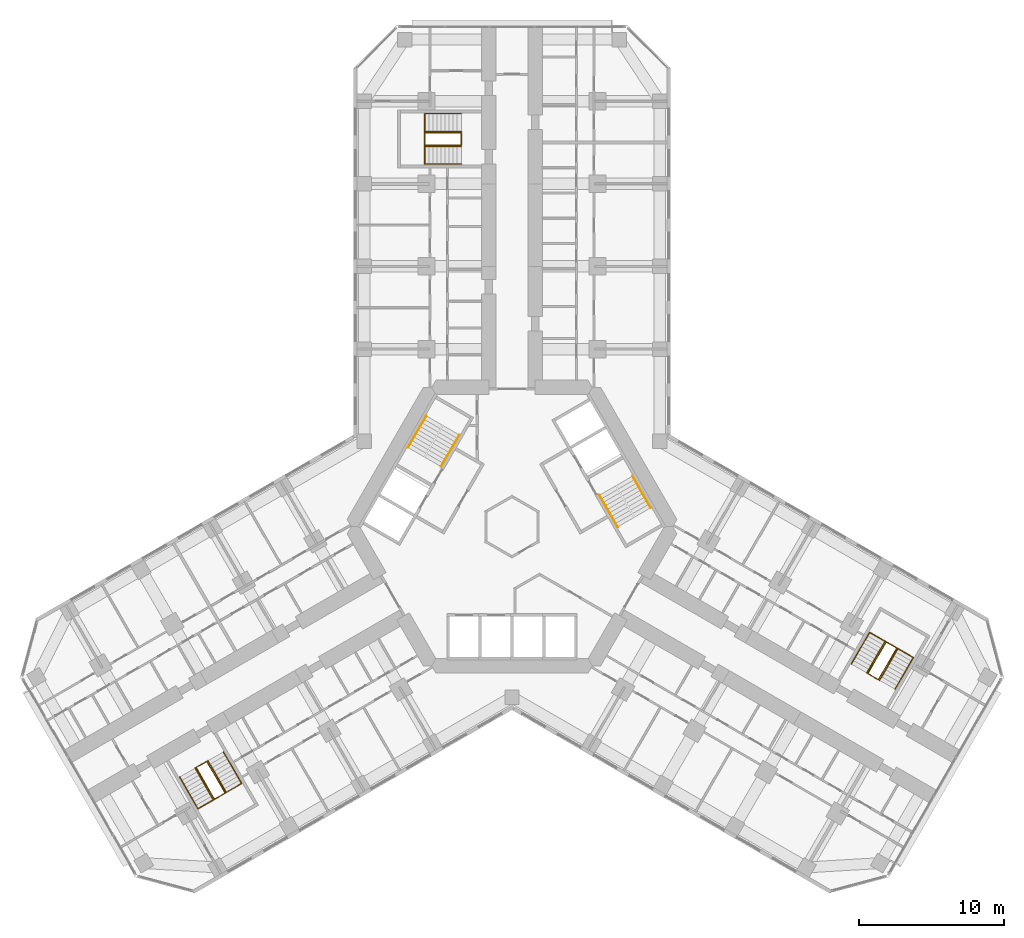
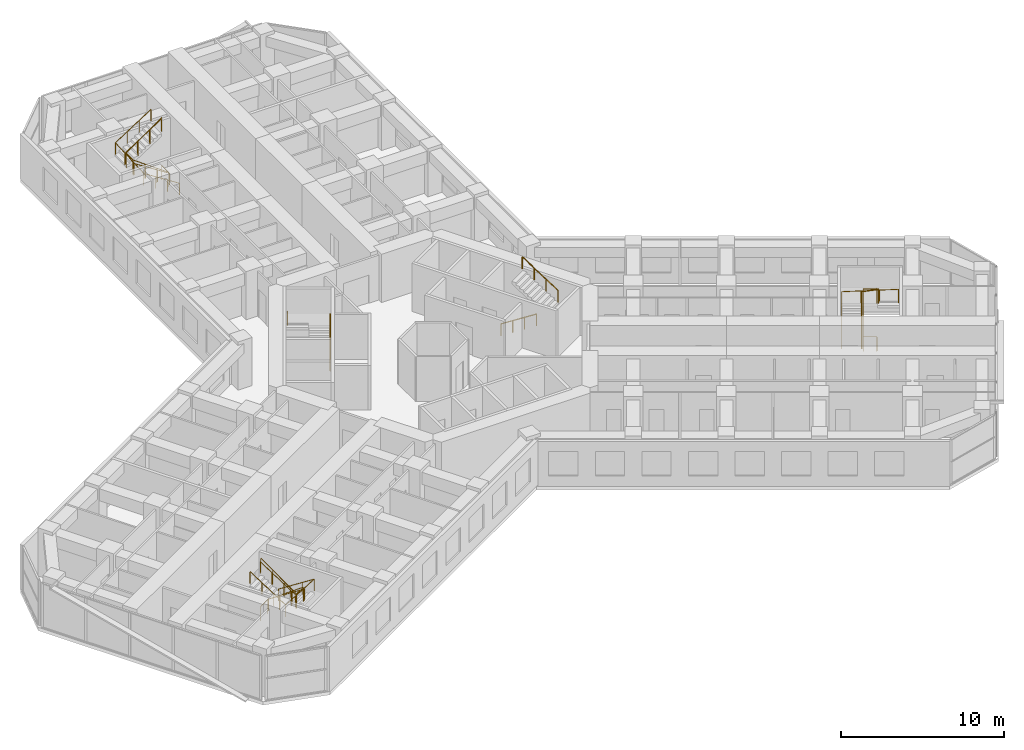
# One storey, part 21 of 21: 13 railings.
"""IFC4 building model written with IfcOpenShell, lengths in metres."""

from ifc_helpers import new_model, si_unit, direction, frame, origin, origin_2d, place, context, subcontext, project, spatial, circle, extrude, material, type_object, element, save


model = new_model("IFC4")

# Units and contexts
model_context = context("Model", 3, precision=1e-05, world=origin(), true_north=direction((0.0, 1.0)))
body_context = subcontext(model_context, "Body", "Model", "MODEL_VIEW")
ifc_project = project(units=[si_unit("LENGTHUNIT", "METRE"), si_unit("AREAUNIT", "SQUARE_METRE"), si_unit("VOLUMEUNIT", "CUBIC_METRE"), si_unit("PLANEANGLEUNIT", "RADIAN"), si_unit("MASSUNIT", "GRAM", prefix="KILO")], contexts=[model_context])

# Site, building, storey
site_placement = place(None, origin())
site = spatial("IfcSite", under=ifc_project, at=site_placement, CompositionType="ELEMENT")
building_placement = place(site_placement, origin())
building = spatial("IfcBuilding", under=site, at=building_placement, Name="Kosmar Iwan School Tower", CompositionType="ELEMENT")
storey_placement = place(building_placement, frame((0.0, 0.0, 71.800048828125)))
storey = spatial("IfcBuildingStorey", under=building, at=storey_placement, Name="L17", CompositionType="ELEMENT", Elevation=71.800048828125)

# Railings
ifc_material_1 = material(Name="Black steel", Category="steel")
railing_type_1 = type_object("IfcRailingType", Name="Stair handrail 900", PredefinedType="HANDRAIL", material=ifc_material_1)
railing_1_placement = place(storey_placement, frame((-4.89453125, 4.142333984375, 0.179931640625)))
element("IfcRailing", 1, at=railing_1_placement, inside=storey, type_object=railing_type_1, Name="Handrail ST2 flight 1", PredefinedType="HANDRAIL", context=body_context, shape_type="SweptSolid", body=[
    extrude(circle(Radius=0.02392578125, at=origin_2d()), frame((0.0, 0.0, 0.8759765625), z_axis=(0.420584145978, 0.728463801763, 0.540785970299), x_axis=(-0.866022637375, 0.500004791531, 0.0)), (0.0, 0.0, 1.0), 2.995849609375),
    extrude(circle(Radius=0.02099609375, at=origin_2d()), origin(), (0.0, 0.0, 1.0), 0.851806640625),
    extrude(circle(Radius=0.02099609375, at=origin_2d()), frame((0.419921875, 0.7275390625, 0.5400390625)), (0.0, 0.0, 1.0), 0.851806640625),
    extrude(circle(Radius=0.02099609375, at=origin_2d()), frame((0.840087890625, 1.454833984375, 1.080078125)), (0.0, 0.0, 1.0), 0.851806640625),
    extrude(circle(Radius=0.02099609375, at=origin_2d()), frame((1.260009765625, 2.182373046875, 1.6201171875)), (0.0, 0.0, 1.0), 0.851806640625),
])
railing_2_placement = place(storey_placement, frame((-5.912353515625, 7.6396484375, 1.97998046875)))
element("IfcRailing", 2, at=railing_2_placement, inside=storey, type_object=railing_type_1, Name="Handrail ST2 flight 2", PredefinedType="HANDRAIL", context=body_context, shape_type="SweptSolid", body=[
    extrude(circle(Radius=0.02392578125, at=origin_2d()), frame((0.0, 0.0, 0.8759765625), z_axis=(-0.42060268101, -0.72849590497, 0.54072830624), x_axis=(0.866022637375, -0.500004791531, 0.0)), (0.0, 0.0, 1.0), 2.99560546875),
    extrude(circle(Radius=0.02099609375, at=origin_2d()), origin(), (0.0, 0.0, 1.0), 0.851806640625),
    extrude(circle(Radius=0.02099609375, at=origin_2d()), frame((-0.419921875, -0.7275390625, 0.5400390625)), (0.0, 0.0, 1.0), 0.851806640625),
    extrude(circle(Radius=0.02099609375, at=origin_2d()), frame((-0.840087890625, -1.454833984375, 1.079833984375)), (0.0, 0.0, 1.0), 0.851806640625),
    extrude(circle(Radius=0.02099609375, at=origin_2d()), frame((-1.260009765625, -2.182373046875, 1.619873046875)), (0.0, 0.0, 1.0), 0.851806640625),
])
railing_3_placement = place(storey_placement, frame((6.03466796875, 2.167724609375, 0.179931640625)))
element("IfcRailing", 3, at=railing_3_placement, inside=storey, type_object=railing_type_1, Name="Handrail ST1 flight 1", PredefinedType="HANDRAIL", context=body_context, shape_type="SweptSolid", body=[
    extrude(circle(Radius=0.02392578125, at=origin_2d()), frame((0.0, 0.0, 0.8759765625), z_axis=(0.420584145978, -0.728463801763, 0.540785970299), x_axis=(0.866022637375, 0.500004791531, 0.0)), (0.0, 0.0, 1.0), 2.995849609375),
    extrude(circle(Radius=0.02099609375, at=origin_2d()), origin(), (0.0, 0.0, 1.0), 0.851806640625),
    extrude(circle(Radius=0.02099609375, at=origin_2d()), frame((0.419921875, -0.7275390625, 0.5400390625)), (0.0, 0.0, 1.0), 0.851806640625),
    extrude(circle(Radius=0.02099609375, at=origin_2d()), frame((0.840087890625, -1.454833984375, 1.080078125)), (0.0, 0.0, 1.0), 0.851806640625),
    extrude(circle(Radius=0.02099609375, at=origin_2d()), frame((1.260009765625, -2.182373046875, 1.6201171875)), (0.0, 0.0, 1.0), 0.851806640625),
])
railing_4_placement = place(storey_placement, frame((9.572265625, 1.30029296875, 1.97998046875)))
element("IfcRailing", 4, at=railing_4_placement, inside=storey, type_object=railing_type_1, Name="Handrail ST1 flight 2", PredefinedType="HANDRAIL", context=body_context, shape_type="SweptSolid", body=[
    extrude(circle(Radius=0.02392578125, at=origin_2d()), frame((0.0, 0.0, 0.8759765625), z_axis=(-0.42060268101, 0.72849590497, 0.54072830624), x_axis=(-0.866022637375, -0.500004791531, 0.0)), (0.0, 0.0, 1.0), 2.99560546875),
    extrude(circle(Radius=0.02099609375, at=origin_2d()), origin(), (0.0, 0.0, 1.0), 0.851806640625),
    extrude(circle(Radius=0.02099609375, at=origin_2d()), frame((-0.419921875, 0.7275390625, 0.5400390625)), (0.0, 0.0, 1.0), 0.851806640625),
    extrude(circle(Radius=0.02099609375, at=origin_2d()), frame((-0.840087890625, 1.454833984375, 1.079833984375)), (0.0, 0.0, 1.0), 0.851806640625),
    extrude(circle(Radius=0.02099609375, at=origin_2d()), frame((-1.260009765625, 2.182373046875, 1.619873046875)), (0.0, 0.0, 1.0), 0.851806640625),
])
railing_5_placement = place(storey_placement, frame((-3.5, 25.010009765625, 0.179931640625)))
element("IfcRailing", 5, at=railing_5_placement, inside=storey, type_object=railing_type_1, Name="Handrail stair WS1 L17 wall side", PredefinedType="HANDRAIL", context=body_context, shape_type="SweptSolid", body=[
    extrude(circle(Radius=0.02392578125, at=origin_2d()), frame((0.0, 0.0, 0.8759765625), z_axis=(-0.841162588446, 0.0, 0.540782303519), x_axis=(0.0, -1.0, 0.0)), (0.0, 0.0, 1.0), 2.995849609375),
    extrude(circle(Radius=0.02392578125, at=origin_2d()), frame((-2.52001953125, 0.0, 2.49609375), z_axis=(0.0, 0.998665981786, 0.051635809497), x_axis=(-1.0, 0.0, 0.0)), (0.0, 0.0, 1.0), 3.484619140625),
    extrude(circle(Radius=0.02392578125, at=origin_2d()), frame((-2.52001953125, 3.47998046875, 2.67578125), z_axis=(0.841199657755, 0.0, 0.540724639528), x_axis=(0.0, 1.0, 0.0)), (0.0, 0.0, 1.0), 2.995849609375),
    extrude(circle(Radius=0.02099609375, at=origin_2d()), origin(), (0.0, 0.0, 1.0), 0.851806640625),
    extrude(circle(Radius=0.02099609375, at=origin_2d()), frame((-0.840087890625, 0.0, 0.5400390625)), (0.0, 0.0, 1.0), 0.851806640625),
    extrude(circle(Radius=0.02099609375, at=origin_2d()), frame((-1.679931640625, 0.0, 1.080078125)), (0.0, 0.0, 1.0), 0.851806640625),
    extrude(circle(Radius=0.02099609375, at=origin_2d()), frame((-2.52001953125, 0.0, 1.6201171875)), (0.0, 0.0, 1.0), 0.851806640625),
    extrude(circle(Radius=0.02099609375, at=origin_2d()), frame((-2.52001953125, 1.159912109375, 1.68017578125)), (0.0, 0.0, 1.0), 0.851806640625),
    extrude(circle(Radius=0.02099609375, at=origin_2d()), frame((-2.52001953125, 2.320068359375, 1.739990234375)), (0.0, 0.0, 1.0), 0.851806640625),
    extrude(circle(Radius=0.02099609375, at=origin_2d()), frame((-2.52001953125, 3.47998046875, 1.800048828125)), (0.0, 0.0, 1.0), 0.851806640625),
    extrude(circle(Radius=0.02099609375, at=origin_2d()), frame((-1.679931640625, 3.47998046875, 2.340087890625)), (0.0, 0.0, 1.0), 0.851806640625),
    extrude(circle(Radius=0.02099609375, at=origin_2d()), frame((-0.840087890625, 3.47998046875, 2.8798828125)), (0.0, 0.0, 1.0), 0.851806640625),
    extrude(circle(Radius=0.02099609375, at=origin_2d()), frame((0.0, 3.47998046875, 3.419921875)), (0.0, 0.0, 1.0), 0.851806640625),
])
railing_6_placement = place(storey_placement, frame((-3.5, 26.239990234375, 0.179931640625)))
element("IfcRailing", 6, at=railing_6_placement, inside=storey, type_object=railing_type_1, Name="Handrail stair WS1 L17 well side", PredefinedType="HANDRAIL", context=body_context, shape_type="SweptSolid", body=[
    extrude(circle(Radius=0.02392578125, at=origin_2d()), frame((0.0, 0.0, 0.8759765625), z_axis=(-0.841162588446, 0.0, 0.540782303519), x_axis=(0.0, -1.0, 0.0)), (0.0, 0.0, 1.0), 2.995849609375),
    extrude(circle(Radius=0.02392578125, at=origin_2d()), frame((-2.52001953125, 0.0, 2.49609375), z_axis=(0.0, 0.984795421109, 0.173718100851), x_axis=(-1.0, 0.0, 0.0)), (0.0, 0.0, 1.0), 1.035888671875),
    extrude(circle(Radius=0.02392578125, at=origin_2d()), frame((-2.52001953125, 1.02001953125, 2.67578125), z_axis=(0.841199657755, 0.0, 0.540724639528), x_axis=(0.0, 1.0, 0.0)), (0.0, 0.0, 1.0), 2.995849609375),
    extrude(circle(Radius=0.02099609375, at=origin_2d()), origin(), (0.0, 0.0, 1.0), 0.851806640625),
    extrude(circle(Radius=0.02099609375, at=origin_2d()), frame((-0.840087890625, 0.0, 0.5400390625)), (0.0, 0.0, 1.0), 0.851806640625),
    extrude(circle(Radius=0.02099609375, at=origin_2d()), frame((-1.679931640625, 0.0, 1.080078125)), (0.0, 0.0, 1.0), 0.851806640625),
    extrude(circle(Radius=0.02099609375, at=origin_2d()), frame((-2.52001953125, 0.0, 1.6201171875)), (0.0, 0.0, 1.0), 0.851806640625),
    extrude(circle(Radius=0.02099609375, at=origin_2d()), frame((-2.52001953125, 1.02001953125, 1.800048828125)), (0.0, 0.0, 1.0), 0.851806640625),
    extrude(circle(Radius=0.02099609375, at=origin_2d()), frame((-1.679931640625, 1.02001953125, 2.340087890625)), (0.0, 0.0, 1.0), 0.851806640625),
    extrude(circle(Radius=0.02099609375, at=origin_2d()), frame((-0.840087890625, 1.02001953125, 2.8798828125)), (0.0, 0.0, 1.0), 0.851806640625),
    extrude(circle(Radius=0.02099609375, at=origin_2d()), frame((0.0, 1.02001953125, 3.419921875)), (0.0, 0.0, 1.0), 0.851806640625),
])
railing_7_placement = place(storey_placement, frame((-19.9091796875, -15.5361328125, 0.179931640625)))
element("IfcRailing", 7, at=railing_7_placement, inside=storey, type_object=railing_type_1, Name="Handrail stair WS2 L17 wall side", PredefinedType="HANDRAIL", context=body_context, shape_type="SweptSolid", body=[
    extrude(circle(Radius=0.02392578125, at=origin_2d()), frame((0.0, 0.0, 0.8759765625), z_axis=(0.420517065106, -0.728488768407, 0.540804504659), x_axis=(0.866064587494, 0.499932125682, 0.0)), (0.0, 0.0, 1.0), 2.995849609375),
    extrude(circle(Radius=0.02392578125, at=origin_2d()), frame((1.259765625, -2.182373046875, 2.49609375), z_axis=(-0.864864352349, -0.499342858003, 0.051636829851), x_axis=(0.500009906705, -0.86601968407, 0.0)), (0.0, 0.0, 1.0), 3.484619140625),
    extrude(circle(Radius=0.02392578125, at=origin_2d()), frame((-1.75390625, -3.92236328125, 2.67578125), z_axis=(-0.42060268101, 0.72849590497, 0.54072830624), x_axis=(-0.866022637375, -0.500004791531, 0.0)), (0.0, 0.0, 1.0), 2.99560546875),
    extrude(circle(Radius=0.02099609375, at=origin_2d()), origin(), (0.0, 0.0, 1.0), 0.851806640625),
    extrude(circle(Radius=0.02099609375, at=origin_2d()), frame((0.419921875, -0.7275390625, 0.5400390625)), (0.0, 0.0, 1.0), 0.851806640625),
    extrude(circle(Radius=0.02099609375, at=origin_2d()), frame((0.83984375, -1.454833984375, 1.080078125)), (0.0, 0.0, 1.0), 0.851806640625),
    extrude(circle(Radius=0.02099609375, at=origin_2d()), frame((1.259765625, -2.182373046875, 1.6201171875)), (0.0, 0.0, 1.0), 0.851806640625),
    extrude(circle(Radius=0.02099609375, at=origin_2d()), frame((0.255126953125, -2.762451171875, 1.68017578125)), (0.0, 0.0, 1.0), 0.851806640625),
    extrude(circle(Radius=0.02099609375, at=origin_2d()), frame((-0.749267578125, -3.34228515625, 1.739990234375)), (0.0, 0.0, 1.0), 0.851806640625),
    extrude(circle(Radius=0.02099609375, at=origin_2d()), frame((-1.75390625, -3.92236328125, 1.800048828125)), (0.0, 0.0, 1.0), 0.851806640625),
    extrude(circle(Radius=0.02099609375, at=origin_2d()), frame((-2.173828125, -3.19482421875, 2.340087890625)), (0.0, 0.0, 1.0), 0.851806640625),
    extrude(circle(Radius=0.02099609375, at=origin_2d()), frame((-2.593994140625, -2.467529296875, 2.8798828125)), (0.0, 0.0, 1.0), 0.851806640625),
    extrude(circle(Radius=0.02099609375, at=origin_2d()), frame((-3.013916015625, -1.739990234375, 3.419921875)), (0.0, 0.0, 1.0), 0.851806640625),
])
railing_8_placement = place(storey_placement, frame((-20.974609375, -16.151123046875, 0.179931640625)))
element("IfcRailing", 8, at=railing_8_placement, inside=storey, type_object=railing_type_1, Name="Handrail stair WS2 L17 well side", PredefinedType="HANDRAIL", context=body_context, shape_type="SweptSolid", body=[
    extrude(circle(Radius=0.02392578125, at=origin_2d()), frame((0.0, 0.0, 0.8759765625), z_axis=(0.420584145978, -0.728463801763, 0.540785970299), x_axis=(0.866022637375, 0.500004791531, 0.0)), (0.0, 0.0, 1.0), 2.995849609375),
    extrude(circle(Radius=0.02392578125, at=origin_2d()), frame((1.260009765625, -2.182373046875, 2.49609375), z_axis=(-0.852841519511, -0.492422867401, 0.173726976197), x_axis=(0.500026340207, -0.866010195725, 0.0)), (0.0, 0.0, 1.0), 1.03564453125),
    extrude(circle(Radius=0.02392578125, at=origin_2d()), frame((0.376708984375, -2.6923828125, 2.67578125), z_axis=(-0.42060268101, 0.72849590497, 0.54072830624), x_axis=(-0.866022637375, -0.500004791531, 0.0)), (0.0, 0.0, 1.0), 2.99560546875),
    extrude(circle(Radius=0.02099609375, at=origin_2d()), origin(), (0.0, 0.0, 1.0), 0.851806640625),
    extrude(circle(Radius=0.02099609375, at=origin_2d()), frame((0.419921875, -0.7275390625, 0.5400390625)), (0.0, 0.0, 1.0), 0.851806640625),
    extrude(circle(Radius=0.02099609375, at=origin_2d()), frame((0.840087890625, -1.454833984375, 1.080078125)), (0.0, 0.0, 1.0), 0.851806640625),
    extrude(circle(Radius=0.02099609375, at=origin_2d()), frame((1.260009765625, -2.182373046875, 1.6201171875)), (0.0, 0.0, 1.0), 0.851806640625),
    extrude(circle(Radius=0.02099609375, at=origin_2d()), frame((0.376708984375, -2.6923828125, 1.800048828125)), (0.0, 0.0, 1.0), 0.851806640625),
    extrude(circle(Radius=0.02099609375, at=origin_2d()), frame((-0.043212890625, -1.96484375, 2.340087890625)), (0.0, 0.0, 1.0), 0.851806640625),
    extrude(circle(Radius=0.02099609375, at=origin_2d()), frame((-0.46337890625, -1.237548828125, 2.8798828125)), (0.0, 0.0, 1.0), 0.851806640625),
    extrude(circle(Radius=0.02099609375, at=origin_2d()), frame((-0.88330078125, -0.510009765625, 3.419921875)), (0.0, 0.0, 1.0), 0.851806640625),
])
railing_9_placement = place(storey_placement, frame((23.4091796875, -9.473876953125, 0.179931640625)))
element("IfcRailing", 9, at=railing_9_placement, inside=storey, type_object=railing_type_1, Name="Handrail stair WS3 L17 wall side", PredefinedType="HANDRAIL", context=body_context, shape_type="SweptSolid", body=[
    extrude(circle(Radius=0.02392578125, at=origin_2d()), frame((0.0, 0.0, 0.8759765625), z_axis=(0.420584145978, 0.728463801763, 0.540785970299), x_axis=(-0.866022637375, 0.500004791531, 0.0)), (0.0, 0.0, 1.0), 2.995849609375),
    extrude(circle(Radius=0.02392578125, at=origin_2d()), frame((1.260009765625, 2.182373046875, 2.49609375), z_axis=(0.864882007433, -0.499312601618, 0.051633701051), x_axis=(0.499979528911, 0.866037222451, 0.0)), (0.0, 0.0, 1.0), 3.48486328125),
    extrude(circle(Radius=0.02392578125, at=origin_2d()), frame((4.27392578125, 0.4423828125, 2.67578125), z_axis=(-0.42060268101, -0.72849590497, 0.54072830624), x_axis=(0.866022637375, -0.500004791531, 0.0)), (0.0, 0.0, 1.0), 2.99560546875),
    extrude(circle(Radius=0.02099609375, at=origin_2d()), origin(), (0.0, 0.0, 1.0), 0.851806640625),
    extrude(circle(Radius=0.02099609375, at=origin_2d()), frame((0.419921875, 0.7275390625, 0.5400390625)), (0.0, 0.0, 1.0), 0.851806640625),
    extrude(circle(Radius=0.02099609375, at=origin_2d()), frame((0.840087890625, 1.454833984375, 1.080078125)), (0.0, 0.0, 1.0), 0.851806640625),
    extrude(circle(Radius=0.02099609375, at=origin_2d()), frame((1.260009765625, 2.182373046875, 1.6201171875)), (0.0, 0.0, 1.0), 0.851806640625),
    extrude(circle(Radius=0.02099609375, at=origin_2d()), frame((2.2646484375, 1.602294921875, 1.68017578125)), (0.0, 0.0, 1.0), 0.851806640625),
    extrude(circle(Radius=0.02099609375, at=origin_2d()), frame((3.269287109375, 1.0224609375, 1.739990234375)), (0.0, 0.0, 1.0), 0.851806640625),
    extrude(circle(Radius=0.02099609375, at=origin_2d()), frame((4.27392578125, 0.4423828125, 1.800048828125)), (0.0, 0.0, 1.0), 0.851806640625),
    extrude(circle(Radius=0.02099609375, at=origin_2d()), frame((3.85400390625, -0.28515625, 2.340087890625)), (0.0, 0.0, 1.0), 0.851806640625),
    extrude(circle(Radius=0.02099609375, at=origin_2d()), frame((3.433837890625, -1.012451171875, 2.8798828125)), (0.0, 0.0, 1.0), 0.851806640625),
    extrude(circle(Radius=0.02099609375, at=origin_2d()), frame((3.013916015625, -1.739990234375, 3.419921875)), (0.0, 0.0, 1.0), 0.851806640625),
])
railing_10_placement = place(storey_placement, frame((24.474609375, -10.0888671875, 0.179931640625)))
element("IfcRailing", 10, at=railing_10_placement, inside=storey, type_object=railing_type_1, Name="Handrail stair WS3 L17 well side", PredefinedType="HANDRAIL", context=body_context, shape_type="SweptSolid", body=[
    extrude(circle(Radius=0.02392578125, at=origin_2d()), frame((0.0, 0.0, 0.8759765625), z_axis=(0.420584145978, 0.728463801763, 0.540785970299), x_axis=(-0.866022637375, 0.500004791531, 0.0)), (0.0, 0.0, 1.0), 2.995849609375),
    extrude(circle(Radius=0.02392578125, at=origin_2d()), frame((1.260009765625, 2.182373046875, 2.49609375), z_axis=(0.852841519511, -0.492422867401, 0.173726976197), x_axis=(0.500026340207, 0.866010195725, 0.0)), (0.0, 0.0, 1.0), 1.03564453125),
    extrude(circle(Radius=0.02392578125, at=origin_2d()), frame((2.143310546875, 1.67236328125, 2.67578125), z_axis=(-0.42060268101, -0.72849590497, 0.54072830624), x_axis=(0.866022637375, -0.500004791531, 0.0)), (0.0, 0.0, 1.0), 2.99560546875),
    extrude(circle(Radius=0.02099609375, at=origin_2d()), origin(), (0.0, 0.0, 1.0), 0.851806640625),
    extrude(circle(Radius=0.02099609375, at=origin_2d()), frame((0.419921875, 0.7275390625, 0.5400390625)), (0.0, 0.0, 1.0), 0.851806640625),
    extrude(circle(Radius=0.02099609375, at=origin_2d()), frame((0.840087890625, 1.454833984375, 1.080078125)), (0.0, 0.0, 1.0), 0.851806640625),
    extrude(circle(Radius=0.02099609375, at=origin_2d()), frame((1.260009765625, 2.182373046875, 1.6201171875)), (0.0, 0.0, 1.0), 0.851806640625),
    extrude(circle(Radius=0.02099609375, at=origin_2d()), frame((2.143310546875, 1.67236328125, 1.800048828125)), (0.0, 0.0, 1.0), 0.851806640625),
    extrude(circle(Radius=0.02099609375, at=origin_2d()), frame((1.723388671875, 0.94482421875, 2.340087890625)), (0.0, 0.0, 1.0), 0.851806640625),
    extrude(circle(Radius=0.02099609375, at=origin_2d()), frame((1.30322265625, 0.217529296875, 2.8798828125)), (0.0, 0.0, 1.0), 0.851806640625),
    extrude(circle(Radius=0.02099609375, at=origin_2d()), frame((0.88330078125, -0.510009765625, 3.419921875)), (0.0, 0.0, 1.0), 0.851806640625),
])
ifc_material_2 = material(Name="Black steel", Category="steel")
railing_type_2 = type_object("IfcRailingType", Name="Stair well guard 1100", PredefinedType="GUARDRAIL", material=ifc_material_2)
railing_11_placement = place(storey_placement, frame((-3.5, 27.169921875, 0.0)))
element("IfcRailing", 11, at=railing_11_placement, inside=storey, type_object=railing_type_2, Name="Stair WS1 L17 well guard", PredefinedType="GUARDRAIL", context=body_context, shape_type="SweptSolid", body=[
    extrude(circle(Radius=0.02392578125, at=origin_2d()), frame((0.0, 0.0, 1.076171875), z_axis=(0.0, -1.0, 0.0), x_axis=(1.0, 0.0, 0.0)), (0.0, 0.0, 1.0), 0.83984375),
    extrude(circle(Radius=0.02392578125, at=origin_2d()), frame((0.0, -0.83984375, 1.076171875), z_axis=(-0.813728144527, 0.0, 0.581245650998), x_axis=(0.0, -1.0, 0.0)), (0.0, 0.0, 1.0), 3.096923828125),
    extrude(circle(Radius=0.02392578125, at=origin_2d()), frame((-2.52001953125, -0.83984375, 2.8759765625), z_axis=(0.0, 1.0, 0.0), x_axis=(-1.0, 0.0, 0.0)), (0.0, 0.0, 1.0), 0.83984375),
    extrude(circle(Radius=0.02392578125, at=origin_2d()), frame((-2.52001953125, 0.0, 2.8759765625), z_axis=(0.813765431312, 0.0, 0.581193446971), x_axis=(0.0, 1.0, 0.0)), (0.0, 0.0, 1.0), 3.0966796875),
    extrude(circle(Radius=0.02099609375, at=origin_2d()), origin(), (0.0, 0.0, 1.0), 1.052001953125),
    extrude(circle(Radius=0.02099609375, at=origin_2d()), frame((0.0, -0.83984375, 0.0)), (0.0, 0.0, 1.0), 1.052001953125),
    extrude(circle(Radius=0.02099609375, at=origin_2d()), frame((-0.840087890625, -0.83984375, 0.60009765625)), (0.0, 0.0, 1.0), 1.052001953125),
    extrude(circle(Radius=0.02099609375, at=origin_2d()), frame((-1.679931640625, -0.83984375, 1.199951171875)), (0.0, 0.0, 1.0), 1.052001953125),
    extrude(circle(Radius=0.02099609375, at=origin_2d()), frame((-2.52001953125, -0.83984375, 1.800048828125)), (0.0, 0.0, 1.0), 1.052001953125),
    extrude(circle(Radius=0.02099609375, at=origin_2d()), frame((-2.52001953125, 0.0, 1.800048828125)), (0.0, 0.0, 1.0), 1.052001953125),
    extrude(circle(Radius=0.02099609375, at=origin_2d()), frame((-1.679931640625, 0.0, 2.39990234375)), (0.0, 0.0, 1.0), 1.052001953125),
    extrude(circle(Radius=0.02099609375, at=origin_2d()), frame((-0.840087890625, 0.0, 3.0)), (0.0, 0.0, 1.0), 1.052001953125),
    extrude(circle(Radius=0.02099609375, at=origin_2d()), frame((0.0, 0.0, 3.599853515625)), (0.0, 0.0, 1.0), 1.052001953125),
])
railing_12_placement = place(storey_placement, frame((-21.780029296875, -16.6162109375, 0.0)))
element("IfcRailing", 12, at=railing_12_placement, inside=storey, type_object=railing_type_2, Name="Stair WS2 L17 well guard", PredefinedType="GUARDRAIL", context=body_context, shape_type="SweptSolid", body=[
    extrude(circle(Radius=0.02392578125, at=origin_2d()), frame((0.0, 0.0, 1.076171875), z_axis=(0.865962960534, 0.500108139288, 0.0), x_axis=(-0.500108139288, 0.865962960534, 0.0)), (0.0, 0.0, 1.0), 0.840087890625),
    extrude(circle(Radius=0.02392578125, at=origin_2d()), frame((0.7275390625, 0.420166015625, 1.076171875), z_axis=(0.40686665399, -0.704704712268, 0.58124933925), x_axis=(0.866022637375, 0.500004791531, 0.0)), (0.0, 0.0, 1.0), 3.096923828125),
    extrude(circle(Radius=0.02392578125, at=origin_2d()), frame((1.987548828125, -1.76220703125, 2.8759765625), z_axis=(-0.865962960534, -0.500108139288, 0.0), x_axis=(0.500108139288, -0.865962960534, 0.0)), (0.0, 0.0, 1.0), 0.840087890625),
    extrude(circle(Radius=0.02392578125, at=origin_2d()), frame((1.260009765625, -2.182373046875, 2.8759765625), z_axis=(-0.406885297737, 0.704737003773, 0.581197135229), x_axis=(-0.866022637375, -0.500004791531, 0.0)), (0.0, 0.0, 1.0), 3.0966796875),
    extrude(circle(Radius=0.02099609375, at=origin_2d()), origin(), (0.0, 0.0, 1.0), 1.052001953125),
    extrude(circle(Radius=0.02099609375, at=origin_2d()), frame((0.7275390625, 0.420166015625, 0.0)), (0.0, 0.0, 1.0), 1.052001953125),
    extrude(circle(Radius=0.02099609375, at=origin_2d()), frame((1.1474609375, -0.307373046875, 0.60009765625)), (0.0, 0.0, 1.0), 1.052001953125),
    extrude(circle(Radius=0.02099609375, at=origin_2d()), frame((1.567626953125, -1.03466796875, 1.199951171875)), (0.0, 0.0, 1.0), 1.052001953125),
    extrude(circle(Radius=0.02099609375, at=origin_2d()), frame((1.987548828125, -1.76220703125, 1.800048828125)), (0.0, 0.0, 1.0), 1.052001953125),
    extrude(circle(Radius=0.02099609375, at=origin_2d()), frame((1.260009765625, -2.182373046875, 1.800048828125)), (0.0, 0.0, 1.0), 1.052001953125),
    extrude(circle(Radius=0.02099609375, at=origin_2d()), frame((0.840087890625, -1.454833984375, 2.39990234375)), (0.0, 0.0, 1.0), 1.052001953125),
    extrude(circle(Radius=0.02099609375, at=origin_2d()), frame((0.419921875, -0.7275390625, 3.0)), (0.0, 0.0, 1.0), 1.052001953125),
    extrude(circle(Radius=0.02099609375, at=origin_2d()), frame((0.0, 0.0, 3.599853515625)), (0.0, 0.0, 1.0), 1.052001953125),
])
railing_13_placement = place(storey_placement, frame((25.280029296875, -10.553955078125, 0.0)))
element("IfcRailing", 13, at=railing_13_placement, inside=storey, type_object=railing_type_2, Name="Stair WS3 L17 well guard", PredefinedType="GUARDRAIL", context=body_context, shape_type="SweptSolid", body=[
    extrude(circle(Radius=0.02392578125, at=origin_2d()), frame((0.0, 0.0, 1.076171875), z_axis=(-0.865962960534, 0.500108139288, 0.0), x_axis=(-0.500108139288, -0.865962960534, 0.0)), (0.0, 0.0, 1.0), 0.840087890625),
    extrude(circle(Radius=0.02392578125, at=origin_2d()), frame((-0.7275390625, 0.420166015625, 1.076171875), z_axis=(0.40686665399, 0.704704712268, 0.58124933925), x_axis=(-0.866022637375, 0.500004791531, 0.0)), (0.0, 0.0, 1.0), 3.096923828125),
    extrude(circle(Radius=0.02392578125, at=origin_2d()), frame((0.532470703125, 2.6025390625, 2.8759765625), z_axis=(0.865890253765, -0.500234013672, 0.0), x_axis=(0.500234013672, 0.865890253765, 0.0)), (0.0, 0.0, 1.0), 0.83984375),
    extrude(circle(Radius=0.02392578125, at=origin_2d()), frame((1.259765625, 2.182373046875, 2.8759765625), z_axis=(-0.406819508263, -0.704759609372, 0.581215778084), x_axis=(0.866064587494, -0.499932125682, 0.0)), (0.0, 0.0, 1.0), 3.0966796875),
    extrude(circle(Radius=0.02099609375, at=origin_2d()), origin(), (0.0, 0.0, 1.0), 1.052001953125),
    extrude(circle(Radius=0.02099609375, at=origin_2d()), frame((-0.7275390625, 0.420166015625, 0.0)), (0.0, 0.0, 1.0), 1.052001953125),
    extrude(circle(Radius=0.02099609375, at=origin_2d()), frame((-0.3076171875, 1.147705078125, 0.60009765625)), (0.0, 0.0, 1.0), 1.052001953125),
    extrude(circle(Radius=0.02099609375, at=origin_2d()), frame((0.112548828125, 1.875, 1.199951171875)), (0.0, 0.0, 1.0), 1.052001953125),
    extrude(circle(Radius=0.02099609375, at=origin_2d()), frame((0.532470703125, 2.6025390625, 1.800048828125)), (0.0, 0.0, 1.0), 1.052001953125),
    extrude(circle(Radius=0.02099609375, at=origin_2d()), frame((1.259765625, 2.182373046875, 1.800048828125)), (0.0, 0.0, 1.0), 1.052001953125),
    extrude(circle(Radius=0.02099609375, at=origin_2d()), frame((0.83984375, 1.454833984375, 2.39990234375)), (0.0, 0.0, 1.0), 1.052001953125),
    extrude(circle(Radius=0.02099609375, at=origin_2d()), frame((0.419921875, 0.7275390625, 3.0)), (0.0, 0.0, 1.0), 1.052001953125),
    extrude(circle(Radius=0.02099609375, at=origin_2d()), frame((0.0, 0.0, 3.599853515625)), (0.0, 0.0, 1.0), 1.052001953125),
])

save(model, "model.ifc")
